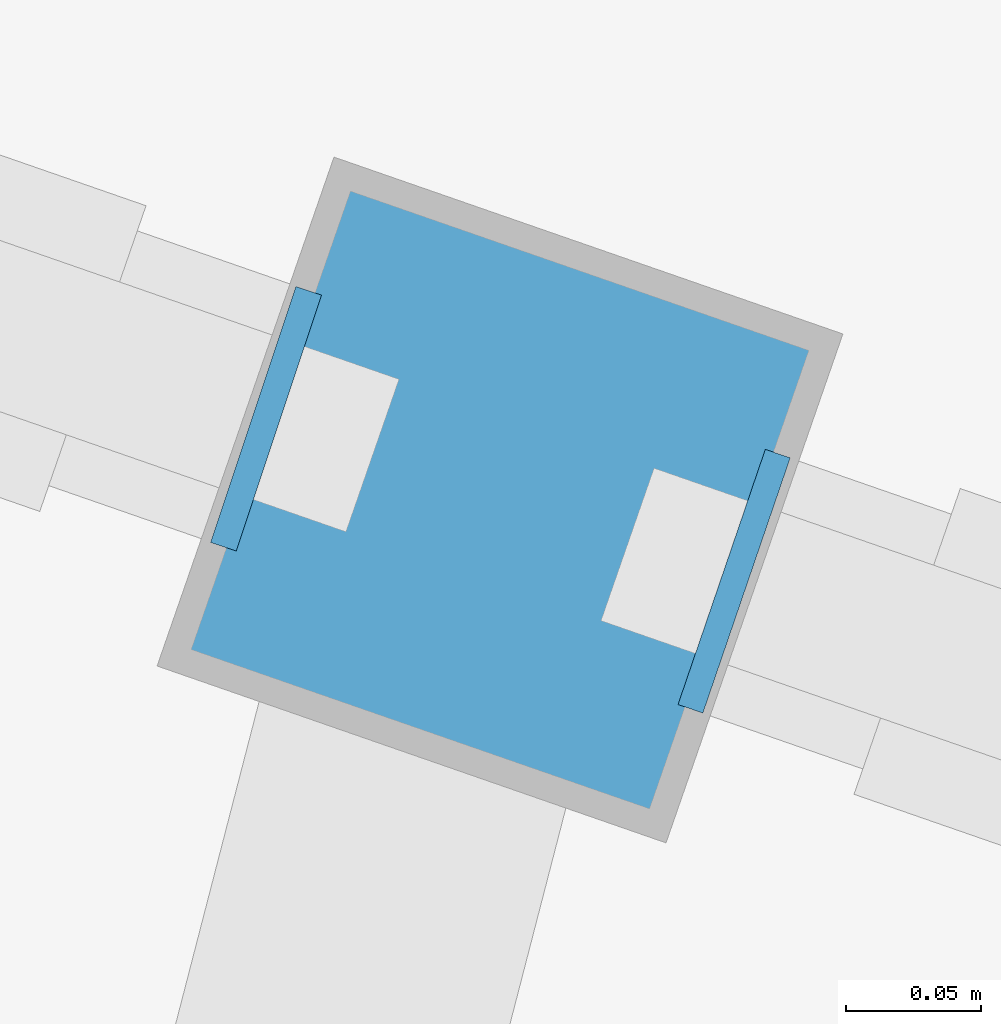
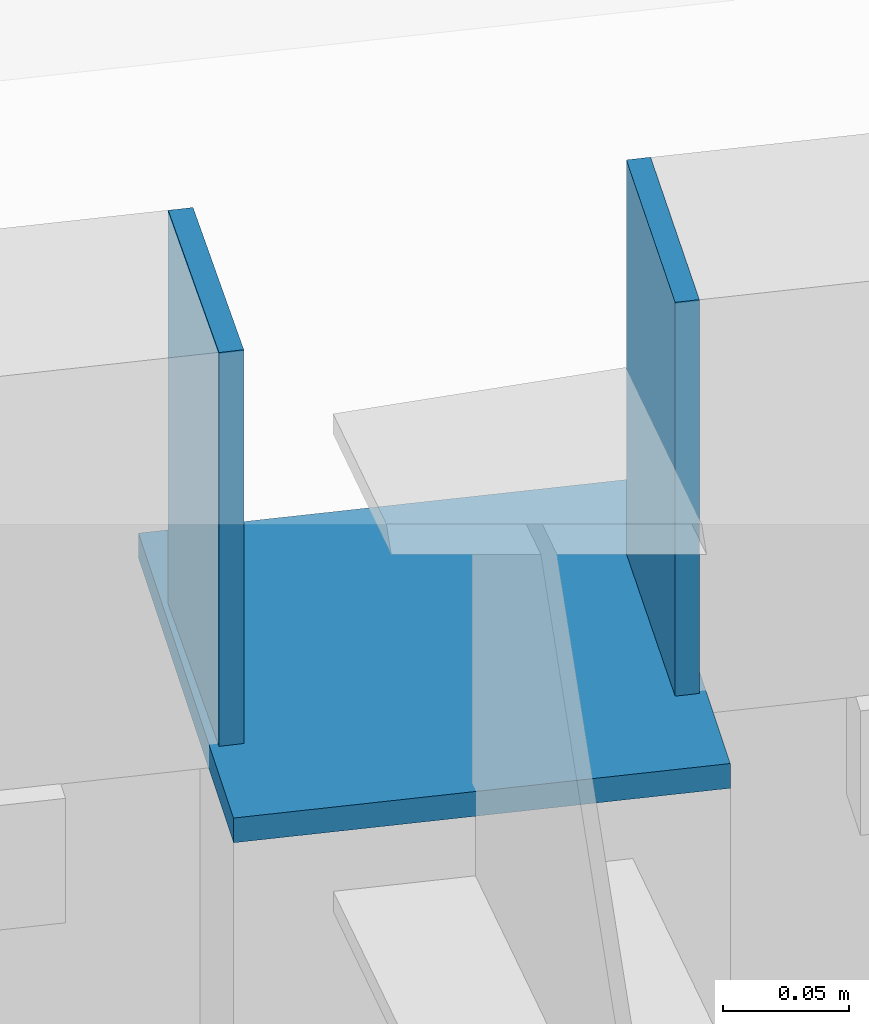
# One storey, part 193 of 226: 3 discrete accessories.
"""IFC4 building model written with IfcOpenShell, lengths in metres."""

from ifc_helpers import new_model, si_unit, direction, frame, origin, origin_2d, place, context, subcontext, project, spatial, rectangle, extrude, material, material_profile, profile_set, type_object, element, save


model = new_model("IFC4")

# Units and contexts
model_context = context("Model", 3, precision=1e-05, world=origin(), true_north=direction((0.0, 1.0)))
body_context = subcontext(model_context, "Body", "Model", "MODEL_VIEW")
ifc_project = project(units=[si_unit("LENGTHUNIT", "METRE"), si_unit("AREAUNIT", "SQUARE_METRE"), si_unit("VOLUMEUNIT", "CUBIC_METRE"), si_unit("PLANEANGLEUNIT", "RADIAN"), si_unit("MASSUNIT", "GRAM", prefix="KILO")], contexts=[model_context])

# Site, building, storey
site_placement = place(None, origin())
site = spatial("IfcSite", under=ifc_project, at=site_placement, CompositionType="ELEMENT")
building_placement = place(site_placement, origin())
building = spatial("IfcBuilding", under=site, at=building_placement, Name="Ceibo Conservatory and Research Tower", CompositionType="ELEMENT")
storey_placement = place(building_placement, origin())
storey = spatial("IfcBuildingStorey", under=building, at=storey_placement, Name="L00", CompositionType="ELEMENT", Elevation=0.0)

# Discrete accessories
ifc_material = material(Name="Steel S355J2", Category="steel")
ifc_material_profile_1 = material_profile(ifc_material, rectangle(XDim=0.10009765625, YDim=0.199951171875, at=origin_2d()), Name="End plate PL 200x100x8")
ifc_profile_set_1 = profile_set([ifc_material_profile_1], Name="Steel S355J2")
discrete_accessory_type_1 = type_object("IfcDiscreteAccessoryType", Name="End plate PL 200x100x8", PredefinedType="USERDEFINED", material=ifc_profile_set_1)
discrete_accessory_1_placement = place(storey_placement, frame((120.73388671875, 51.197509765625, 3.89990234375), z_axis=(0.948683298051, -0.316227766017, 0.0), x_axis=(0.316227766017, 0.948683298051, 0.0)))
element("IfcDiscreteAccessory", 1, at=discrete_accessory_1_placement, inside=storey, type_object=discrete_accessory_type_1, Name="Gallery edge beam AUD-VC-EBN10 end plate", ObjectType="End plate", PredefinedType="USERDEFINED", context=body_context, shape_type="SweptSolid", body=[
    extrude(rectangle(XDim=0.10009765625, YDim=0.199951171875, at=origin_2d()), origin(), (0.0, 0.0, 1.0), 0.010009765625),
])
discrete_accessory_2_placement = place(storey_placement, frame((120.90771484375, 51.13720703125, 3.89990234375), z_axis=(0.946163984953, -0.323687679063, 0.0), x_axis=(0.323687679063, 0.946163984953, 0.0)))
element("IfcDiscreteAccessory", 2, at=discrete_accessory_2_placement, inside=storey, type_object=discrete_accessory_type_1, Name="Gallery edge beam AUD-VC-EBN11 end plate", ObjectType="End plate", PredefinedType="USERDEFINED", context=body_context, shape_type="SweptSolid", body=[
    extrude(rectangle(XDim=0.10009765625, YDim=0.199951171875, at=origin_2d()), origin(), (0.0, 0.0, 1.0), 0.009765625),
])
ifc_material_profile_2 = material_profile(ifc_material, rectangle(XDim=0.199951171875, YDim=0.199951171875, at=origin_2d()), Name="End plate PL 200x200x10")
ifc_profile_set_2 = profile_set([ifc_material_profile_2], Name="Steel S355J2")
discrete_accessory_type_2 = type_object("IfcDiscreteAccessoryType", Name="End plate PL 200x200x10", PredefinedType="USERDEFINED", material=ifc_profile_set_2)
discrete_accessory_3_placement = place(storey_placement, frame((120.825439453125, 51.165771484375, 3.798095703125), z_axis=(0.0, 0.0, 1.0), x_axis=(0.944579236191, -0.328283515513, 0.0)))
element("IfcDiscreteAccessory", 3, at=discrete_accessory_3_placement, inside=storey, type_object=discrete_accessory_type_2, Name="Gallery column AUD-VC-CN10 end plate", ObjectType="End plate", PredefinedType="USERDEFINED", context=body_context, shape_type="SweptSolid", body=[
    extrude(rectangle(XDim=0.199951171875, YDim=0.199951171875, at=origin_2d()), origin(), (0.0, 0.0, 1.0), 0.011962890625),
])

save(model, "model.ifc")
